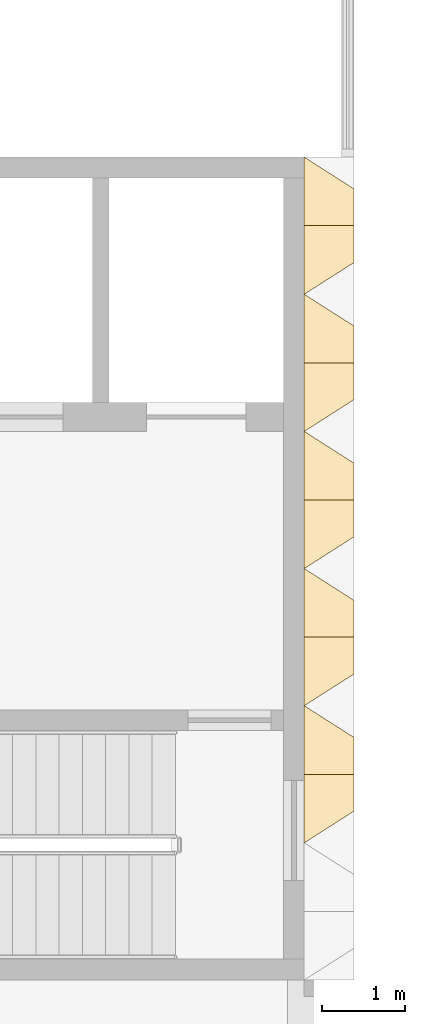
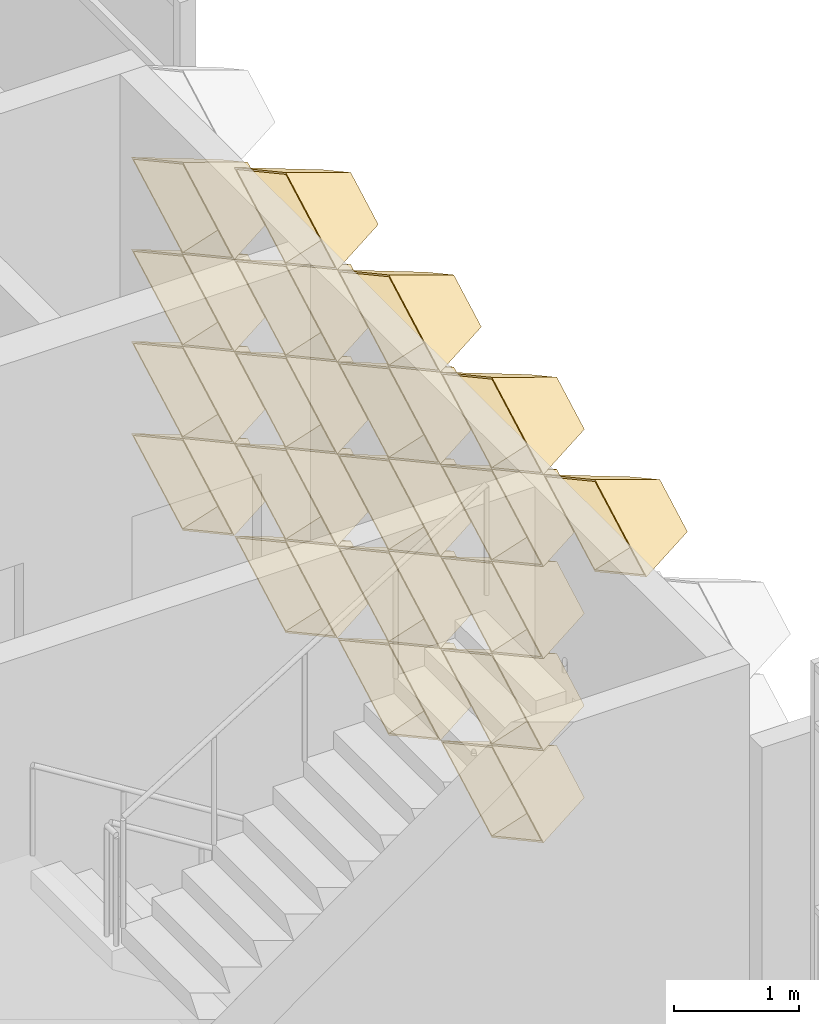
# One storey, part 64 of 87: 20 coverings.
"""IFC4 building model written with IfcOpenShell, lengths in metres."""

from ifc_helpers import new_model, entity, si_unit, direction, frame, origin, place, context, subcontext, project, spatial, material, layer, layer_set, type_object, element, save


model = new_model("IFC4")

# Units and contexts
model_context = context("Model", 3, precision=1e-05, world=origin(), true_north=direction((0.0, 1.0)))
body_context = subcontext(model_context, "Body", "Model", "MODEL_VIEW")
ifc_project = project(units=[si_unit("LENGTHUNIT", "METRE"), si_unit("AREAUNIT", "SQUARE_METRE"), si_unit("VOLUMEUNIT", "CUBIC_METRE"), si_unit("PLANEANGLEUNIT", "RADIAN"), si_unit("MASSUNIT", "GRAM", prefix="KILO")], contexts=[model_context])

# Site, building, storey
site_placement = place(None, origin())
site = spatial("IfcSite", under=ifc_project, at=site_placement, CompositionType="ELEMENT")
building_placement = place(site_placement, origin())
building = spatial("IfcBuilding", under=site, at=building_placement, Name="Lantern Court Research Institute", CompositionType="ELEMENT")
storey_placement = place(building_placement, frame((0.0, 0.0, 5.39990234375)))
storey = spatial("IfcBuildingStorey", under=building, at=storey_placement, Name="L01", CompositionType="ELEMENT", Elevation=5.39990234375)

# Coverings
ifc_material = material(Name="Anodised aluminium", Category="aluminium")
ifc_layer = layer(ifc_material, 0.01611328125)
ifc_layer_set = layer_set([ifc_layer], Name="Anodised aluminium")
covering_type = type_object("IfcCoveringType", Name="Fin cassette 1650 x 900 x 600 aluminium", PredefinedType="CLADDING", material=ifc_layer_set)
covering_1_placement = place(storey_placement, frame((79.199951171875, 17.324951171875, 0.4501953125), z_axis=(1.0, 0.0, 0.0), x_axis=(0.0, 1.0, 0.0)))
cartesian_point_1 = entity("IfcCartesianPoint", [0.824951171875, 0.0])
cartesian_point_2 = entity("IfcCartesianPoint", [0.79150390625, 0.0])
cartesian_point_3 = entity("IfcCartesianPoint", [0.44189453125, 0.0])
cartesian_point_4 = entity("IfcCartesianPoint", [0.43359375, 0.0])
element("IfcCovering", 1, at=covering_1_placement, inside=storey, type_object=covering_type, Name="Fin cassette V5E-L01 1.11", PredefinedType="CLADDING", context=body_context, shape_type="SweptSolid", body=[
    entity("IfcExtrudedAreaSolidTapered", entity("IfcArbitraryProfileDefWithVoids", "AREA", None, entity("IfcPolyline", [cartesian_point_1, entity("IfcCartesianPoint", [0.0, 0.449951171875]), entity("IfcCartesianPoint", [-0.824951171875, 0.0]), entity("IfcCartesianPoint", [0.0, -0.449951171875]), cartesian_point_1]), [entity("IfcPolyline", [cartesian_point_2, entity("IfcCartesianPoint", [0.0, 0.431884765625]), entity("IfcCartesianPoint", [-0.79150390625, 0.0]), entity("IfcCartesianPoint", [0.0, -0.431884765625]), cartesian_point_2])]), entity("IfcAxis2Placement3D", entity("IfcCartesianPoint", [0.0, 0.0, 0.0])), entity("IfcDirection", [0.0, 0.0, 1.0]), 0.60009765625, entity("IfcArbitraryProfileDefWithVoids", "AREA", None, entity("IfcPolyline", [cartesian_point_3, entity("IfcCartesianPoint", [0.0, 0.240966796875]), entity("IfcCartesianPoint", [-0.44189453125, 0.0]), entity("IfcCartesianPoint", [0.0, -0.240966796875]), cartesian_point_3]), [entity("IfcPolyline", [cartesian_point_4, entity("IfcCartesianPoint", [0.0, 0.236572265625]), entity("IfcCartesianPoint", [-0.43359375, 0.0]), entity("IfcCartesianPoint", [0.0, -0.236572265625]), cartesian_point_4])])),
])
covering_2_placement = place(storey_placement, frame((79.199951171875, 18.97509765625, 0.4501953125), z_axis=(1.0, 0.0, 0.0), x_axis=(0.0, 1.0, 0.0)))
cartesian_point_5 = entity("IfcCartesianPoint", [0.824951171875, 0.0])
cartesian_point_6 = entity("IfcCartesianPoint", [0.79150390625, 0.0])
cartesian_point_7 = entity("IfcCartesianPoint", [0.44189453125, 0.0])
cartesian_point_8 = entity("IfcCartesianPoint", [0.43359375, 0.0])
element("IfcCovering", 2, at=covering_2_placement, inside=storey, type_object=covering_type, Name="Fin cassette V5E-L01 1.12", PredefinedType="CLADDING", context=body_context, shape_type="SweptSolid", body=[
    entity("IfcExtrudedAreaSolidTapered", entity("IfcArbitraryProfileDefWithVoids", "AREA", None, entity("IfcPolyline", [cartesian_point_5, entity("IfcCartesianPoint", [0.0, 0.449951171875]), entity("IfcCartesianPoint", [-0.824951171875, 0.0]), entity("IfcCartesianPoint", [0.0, -0.449951171875]), cartesian_point_5]), [entity("IfcPolyline", [cartesian_point_6, entity("IfcCartesianPoint", [0.0, 0.431884765625]), entity("IfcCartesianPoint", [-0.79150390625, 0.0]), entity("IfcCartesianPoint", [0.0, -0.431884765625]), cartesian_point_6])]), entity("IfcAxis2Placement3D", entity("IfcCartesianPoint", [0.0, 0.0, 0.0])), entity("IfcDirection", [0.0, 0.0, 1.0]), 0.60009765625, entity("IfcArbitraryProfileDefWithVoids", "AREA", None, entity("IfcPolyline", [cartesian_point_7, entity("IfcCartesianPoint", [0.0, 0.240966796875]), entity("IfcCartesianPoint", [-0.44189453125, 0.0]), entity("IfcCartesianPoint", [0.0, -0.240966796875]), cartesian_point_7]), [entity("IfcPolyline", [cartesian_point_8, entity("IfcCartesianPoint", [0.0, 0.236572265625]), entity("IfcCartesianPoint", [-0.43359375, 0.0]), entity("IfcCartesianPoint", [0.0, -0.236572265625]), cartesian_point_8])])),
])
covering_3_placement = place(storey_placement, frame((79.199951171875, 20.625, 0.4501953125), z_axis=(1.0, 0.0, 0.0), x_axis=(0.0, 1.0, 0.0)))
cartesian_point_9 = entity("IfcCartesianPoint", [0.824951171875, 0.0])
cartesian_point_10 = entity("IfcCartesianPoint", [0.79150390625, 0.0])
cartesian_point_11 = entity("IfcCartesianPoint", [0.44189453125, 0.0])
cartesian_point_12 = entity("IfcCartesianPoint", [0.43359375, 0.0])
element("IfcCovering", 3, at=covering_3_placement, inside=storey, type_object=covering_type, Name="Fin cassette V5E-L01 1.13", PredefinedType="CLADDING", context=body_context, shape_type="SweptSolid", body=[
    entity("IfcExtrudedAreaSolidTapered", entity("IfcArbitraryProfileDefWithVoids", "AREA", None, entity("IfcPolyline", [cartesian_point_9, entity("IfcCartesianPoint", [0.0, 0.449951171875]), entity("IfcCartesianPoint", [-0.824951171875, 0.0]), entity("IfcCartesianPoint", [0.0, -0.449951171875]), cartesian_point_9]), [entity("IfcPolyline", [cartesian_point_10, entity("IfcCartesianPoint", [0.0, 0.431884765625]), entity("IfcCartesianPoint", [-0.79150390625, 0.0]), entity("IfcCartesianPoint", [0.0, -0.431884765625]), cartesian_point_10])]), entity("IfcAxis2Placement3D", entity("IfcCartesianPoint", [0.0, 0.0, 0.0])), entity("IfcDirection", [0.0, 0.0, 1.0]), 0.60009765625, entity("IfcArbitraryProfileDefWithVoids", "AREA", None, entity("IfcPolyline", [cartesian_point_11, entity("IfcCartesianPoint", [0.0, 0.240966796875]), entity("IfcCartesianPoint", [-0.44189453125, 0.0]), entity("IfcCartesianPoint", [0.0, -0.240966796875]), cartesian_point_11]), [entity("IfcPolyline", [cartesian_point_12, entity("IfcCartesianPoint", [0.0, 0.236572265625]), entity("IfcCartesianPoint", [-0.43359375, 0.0]), entity("IfcCartesianPoint", [0.0, -0.236572265625]), cartesian_point_12])])),
])
covering_4_placement = place(storey_placement, frame((79.199951171875, 22.27490234375, 0.4501953125), z_axis=(1.0, 0.0, 0.0), x_axis=(0.0, 1.0, 0.0)))
cartesian_point_13 = entity("IfcCartesianPoint", [0.824951171875, 0.0])
cartesian_point_14 = entity("IfcCartesianPoint", [0.79150390625, 0.0])
cartesian_point_15 = entity("IfcCartesianPoint", [0.44189453125, 0.0])
cartesian_point_16 = entity("IfcCartesianPoint", [0.43359375, 0.0])
element("IfcCovering", 4, at=covering_4_placement, inside=storey, type_object=covering_type, Name="Fin cassette V5E-L01 1.14", PredefinedType="CLADDING", context=body_context, shape_type="SweptSolid", body=[
    entity("IfcExtrudedAreaSolidTapered", entity("IfcArbitraryProfileDefWithVoids", "AREA", None, entity("IfcPolyline", [cartesian_point_13, entity("IfcCartesianPoint", [0.0, 0.449951171875]), entity("IfcCartesianPoint", [-0.824951171875, 0.0]), entity("IfcCartesianPoint", [0.0, -0.449951171875]), cartesian_point_13]), [entity("IfcPolyline", [cartesian_point_14, entity("IfcCartesianPoint", [0.0, 0.431884765625]), entity("IfcCartesianPoint", [-0.79150390625, 0.0]), entity("IfcCartesianPoint", [0.0, -0.431884765625]), cartesian_point_14])]), entity("IfcAxis2Placement3D", entity("IfcCartesianPoint", [0.0, 0.0, 0.0])), entity("IfcDirection", [0.0, 0.0, 1.0]), 0.60009765625, entity("IfcArbitraryProfileDefWithVoids", "AREA", None, entity("IfcPolyline", [cartesian_point_15, entity("IfcCartesianPoint", [0.0, 0.240966796875]), entity("IfcCartesianPoint", [-0.44189453125, 0.0]), entity("IfcCartesianPoint", [0.0, -0.240966796875]), cartesian_point_15]), [entity("IfcPolyline", [cartesian_point_16, entity("IfcCartesianPoint", [0.0, 0.236572265625]), entity("IfcCartesianPoint", [-0.43359375, 0.0]), entity("IfcCartesianPoint", [0.0, -0.236572265625]), cartesian_point_16])])),
])
covering_5_placement = place(storey_placement, frame((79.199951171875, 17.324951171875, 1.35009765625), z_axis=(1.0, 0.0, 0.0), x_axis=(0.0, 1.0, 0.0)))
cartesian_point_17 = entity("IfcCartesianPoint", [0.824951171875, 0.0])
cartesian_point_18 = entity("IfcCartesianPoint", [0.79150390625, 0.0])
cartesian_point_19 = entity("IfcCartesianPoint", [0.44189453125, 0.0])
cartesian_point_20 = entity("IfcCartesianPoint", [0.43359375, 0.0])
element("IfcCovering", 5, at=covering_5_placement, inside=storey, type_object=covering_type, Name="Fin cassette V5E-L01 2.11", PredefinedType="CLADDING", context=body_context, shape_type="SweptSolid", body=[
    entity("IfcExtrudedAreaSolidTapered", entity("IfcArbitraryProfileDefWithVoids", "AREA", None, entity("IfcPolyline", [cartesian_point_17, entity("IfcCartesianPoint", [0.0, 0.449951171875]), entity("IfcCartesianPoint", [-0.824951171875, 0.0]), entity("IfcCartesianPoint", [0.0, -0.449951171875]), cartesian_point_17]), [entity("IfcPolyline", [cartesian_point_18, entity("IfcCartesianPoint", [0.0, 0.431884765625]), entity("IfcCartesianPoint", [-0.79150390625, 0.0]), entity("IfcCartesianPoint", [0.0, -0.431884765625]), cartesian_point_18])]), entity("IfcAxis2Placement3D", entity("IfcCartesianPoint", [0.0, 0.0, 0.0])), entity("IfcDirection", [0.0, 0.0, 1.0]), 0.60009765625, entity("IfcArbitraryProfileDefWithVoids", "AREA", None, entity("IfcPolyline", [cartesian_point_19, entity("IfcCartesianPoint", [0.0, 0.240966796875]), entity("IfcCartesianPoint", [-0.44189453125, 0.0]), entity("IfcCartesianPoint", [0.0, -0.240966796875]), cartesian_point_19]), [entity("IfcPolyline", [cartesian_point_20, entity("IfcCartesianPoint", [0.0, 0.236572265625]), entity("IfcCartesianPoint", [-0.43359375, 0.0]), entity("IfcCartesianPoint", [0.0, -0.236572265625]), cartesian_point_20])])),
])
covering_6_placement = place(storey_placement, frame((79.199951171875, 18.97509765625, 1.35009765625), z_axis=(1.0, 0.0, 0.0), x_axis=(0.0, 1.0, 0.0)))
cartesian_point_21 = entity("IfcCartesianPoint", [0.824951171875, 0.0])
cartesian_point_22 = entity("IfcCartesianPoint", [0.79150390625, 0.0])
cartesian_point_23 = entity("IfcCartesianPoint", [0.44189453125, 0.0])
cartesian_point_24 = entity("IfcCartesianPoint", [0.43359375, 0.0])
element("IfcCovering", 6, at=covering_6_placement, inside=storey, type_object=covering_type, Name="Fin cassette V5E-L01 2.12", PredefinedType="CLADDING", context=body_context, shape_type="SweptSolid", body=[
    entity("IfcExtrudedAreaSolidTapered", entity("IfcArbitraryProfileDefWithVoids", "AREA", None, entity("IfcPolyline", [cartesian_point_21, entity("IfcCartesianPoint", [0.0, 0.449951171875]), entity("IfcCartesianPoint", [-0.824951171875, 0.0]), entity("IfcCartesianPoint", [0.0, -0.449951171875]), cartesian_point_21]), [entity("IfcPolyline", [cartesian_point_22, entity("IfcCartesianPoint", [0.0, 0.431884765625]), entity("IfcCartesianPoint", [-0.79150390625, 0.0]), entity("IfcCartesianPoint", [0.0, -0.431884765625]), cartesian_point_22])]), entity("IfcAxis2Placement3D", entity("IfcCartesianPoint", [0.0, 0.0, 0.0])), entity("IfcDirection", [0.0, 0.0, 1.0]), 0.60009765625, entity("IfcArbitraryProfileDefWithVoids", "AREA", None, entity("IfcPolyline", [cartesian_point_23, entity("IfcCartesianPoint", [0.0, 0.240966796875]), entity("IfcCartesianPoint", [-0.44189453125, 0.0]), entity("IfcCartesianPoint", [0.0, -0.240966796875]), cartesian_point_23]), [entity("IfcPolyline", [cartesian_point_24, entity("IfcCartesianPoint", [0.0, 0.236572265625]), entity("IfcCartesianPoint", [-0.43359375, 0.0]), entity("IfcCartesianPoint", [0.0, -0.236572265625]), cartesian_point_24])])),
])
covering_7_placement = place(storey_placement, frame((79.199951171875, 20.625, 1.35009765625), z_axis=(1.0, 0.0, 0.0), x_axis=(0.0, 1.0, 0.0)))
cartesian_point_25 = entity("IfcCartesianPoint", [0.824951171875, 0.0])
cartesian_point_26 = entity("IfcCartesianPoint", [0.79150390625, 0.0])
cartesian_point_27 = entity("IfcCartesianPoint", [0.44189453125, 0.0])
cartesian_point_28 = entity("IfcCartesianPoint", [0.43359375, 0.0])
element("IfcCovering", 7, at=covering_7_placement, inside=storey, type_object=covering_type, Name="Fin cassette V5E-L01 2.13", PredefinedType="CLADDING", context=body_context, shape_type="SweptSolid", body=[
    entity("IfcExtrudedAreaSolidTapered", entity("IfcArbitraryProfileDefWithVoids", "AREA", None, entity("IfcPolyline", [cartesian_point_25, entity("IfcCartesianPoint", [0.0, 0.449951171875]), entity("IfcCartesianPoint", [-0.824951171875, 0.0]), entity("IfcCartesianPoint", [0.0, -0.449951171875]), cartesian_point_25]), [entity("IfcPolyline", [cartesian_point_26, entity("IfcCartesianPoint", [0.0, 0.431884765625]), entity("IfcCartesianPoint", [-0.79150390625, 0.0]), entity("IfcCartesianPoint", [0.0, -0.431884765625]), cartesian_point_26])]), entity("IfcAxis2Placement3D", entity("IfcCartesianPoint", [0.0, 0.0, 0.0])), entity("IfcDirection", [0.0, 0.0, 1.0]), 0.60009765625, entity("IfcArbitraryProfileDefWithVoids", "AREA", None, entity("IfcPolyline", [cartesian_point_27, entity("IfcCartesianPoint", [0.0, 0.240966796875]), entity("IfcCartesianPoint", [-0.44189453125, 0.0]), entity("IfcCartesianPoint", [0.0, -0.240966796875]), cartesian_point_27]), [entity("IfcPolyline", [cartesian_point_28, entity("IfcCartesianPoint", [0.0, 0.236572265625]), entity("IfcCartesianPoint", [-0.43359375, 0.0]), entity("IfcCartesianPoint", [0.0, -0.236572265625]), cartesian_point_28])])),
])
covering_8_placement = place(storey_placement, frame((79.199951171875, 22.27490234375, 1.35009765625), z_axis=(1.0, 0.0, 0.0), x_axis=(0.0, 1.0, 0.0)))
cartesian_point_29 = entity("IfcCartesianPoint", [0.824951171875, 0.0])
cartesian_point_30 = entity("IfcCartesianPoint", [0.79150390625, 0.0])
cartesian_point_31 = entity("IfcCartesianPoint", [0.44189453125, 0.0])
cartesian_point_32 = entity("IfcCartesianPoint", [0.43359375, 0.0])
element("IfcCovering", 8, at=covering_8_placement, inside=storey, type_object=covering_type, Name="Fin cassette V5E-L01 2.14", PredefinedType="CLADDING", context=body_context, shape_type="SweptSolid", body=[
    entity("IfcExtrudedAreaSolidTapered", entity("IfcArbitraryProfileDefWithVoids", "AREA", None, entity("IfcPolyline", [cartesian_point_29, entity("IfcCartesianPoint", [0.0, 0.449951171875]), entity("IfcCartesianPoint", [-0.824951171875, 0.0]), entity("IfcCartesianPoint", [0.0, -0.449951171875]), cartesian_point_29]), [entity("IfcPolyline", [cartesian_point_30, entity("IfcCartesianPoint", [0.0, 0.431884765625]), entity("IfcCartesianPoint", [-0.79150390625, 0.0]), entity("IfcCartesianPoint", [0.0, -0.431884765625]), cartesian_point_30])]), entity("IfcAxis2Placement3D", entity("IfcCartesianPoint", [0.0, 0.0, 0.0])), entity("IfcDirection", [0.0, 0.0, 1.0]), 0.60009765625, entity("IfcArbitraryProfileDefWithVoids", "AREA", None, entity("IfcPolyline", [cartesian_point_31, entity("IfcCartesianPoint", [0.0, 0.240966796875]), entity("IfcCartesianPoint", [-0.44189453125, 0.0]), entity("IfcCartesianPoint", [0.0, -0.240966796875]), cartesian_point_31]), [entity("IfcPolyline", [cartesian_point_32, entity("IfcCartesianPoint", [0.0, 0.236572265625]), entity("IfcCartesianPoint", [-0.43359375, 0.0]), entity("IfcCartesianPoint", [0.0, -0.236572265625]), cartesian_point_32])])),
])
covering_9_placement = place(storey_placement, frame((79.199951171875, 17.324951171875, 2.25), z_axis=(1.0, 0.0, 0.0), x_axis=(0.0, 1.0, 0.0)))
cartesian_point_33 = entity("IfcCartesianPoint", [0.824951171875, 0.0])
cartesian_point_34 = entity("IfcCartesianPoint", [0.79150390625, 0.0])
cartesian_point_35 = entity("IfcCartesianPoint", [0.44189453125, 0.0])
cartesian_point_36 = entity("IfcCartesianPoint", [0.43359375, 0.0])
element("IfcCovering", 9, at=covering_9_placement, inside=storey, type_object=covering_type, Name="Fin cassette V5E-L01 3.11", PredefinedType="CLADDING", context=body_context, shape_type="SweptSolid", body=[
    entity("IfcExtrudedAreaSolidTapered", entity("IfcArbitraryProfileDefWithVoids", "AREA", None, entity("IfcPolyline", [cartesian_point_33, entity("IfcCartesianPoint", [0.0, 0.449951171875]), entity("IfcCartesianPoint", [-0.824951171875, 0.0]), entity("IfcCartesianPoint", [0.0, -0.449951171875]), cartesian_point_33]), [entity("IfcPolyline", [cartesian_point_34, entity("IfcCartesianPoint", [0.0, 0.431884765625]), entity("IfcCartesianPoint", [-0.79150390625, 0.0]), entity("IfcCartesianPoint", [0.0, -0.431884765625]), cartesian_point_34])]), entity("IfcAxis2Placement3D", entity("IfcCartesianPoint", [0.0, 0.0, 0.0])), entity("IfcDirection", [0.0, 0.0, 1.0]), 0.60009765625, entity("IfcArbitraryProfileDefWithVoids", "AREA", None, entity("IfcPolyline", [cartesian_point_35, entity("IfcCartesianPoint", [0.0, 0.240966796875]), entity("IfcCartesianPoint", [-0.44189453125, 0.0]), entity("IfcCartesianPoint", [0.0, -0.240966796875]), cartesian_point_35]), [entity("IfcPolyline", [cartesian_point_36, entity("IfcCartesianPoint", [0.0, 0.236572265625]), entity("IfcCartesianPoint", [-0.43359375, 0.0]), entity("IfcCartesianPoint", [0.0, -0.236572265625]), cartesian_point_36])])),
])
covering_10_placement = place(storey_placement, frame((79.199951171875, 18.97509765625, 2.25), z_axis=(1.0, 0.0, 0.0), x_axis=(0.0, 1.0, 0.0)))
cartesian_point_37 = entity("IfcCartesianPoint", [0.824951171875, 0.0])
cartesian_point_38 = entity("IfcCartesianPoint", [0.79150390625, 0.0])
cartesian_point_39 = entity("IfcCartesianPoint", [0.44189453125, 0.0])
cartesian_point_40 = entity("IfcCartesianPoint", [0.43359375, 0.0])
element("IfcCovering", 10, at=covering_10_placement, inside=storey, type_object=covering_type, Name="Fin cassette V5E-L01 3.12", PredefinedType="CLADDING", context=body_context, shape_type="SweptSolid", body=[
    entity("IfcExtrudedAreaSolidTapered", entity("IfcArbitraryProfileDefWithVoids", "AREA", None, entity("IfcPolyline", [cartesian_point_37, entity("IfcCartesianPoint", [0.0, 0.449951171875]), entity("IfcCartesianPoint", [-0.824951171875, 0.0]), entity("IfcCartesianPoint", [0.0, -0.449951171875]), cartesian_point_37]), [entity("IfcPolyline", [cartesian_point_38, entity("IfcCartesianPoint", [0.0, 0.431884765625]), entity("IfcCartesianPoint", [-0.79150390625, 0.0]), entity("IfcCartesianPoint", [0.0, -0.431884765625]), cartesian_point_38])]), entity("IfcAxis2Placement3D", entity("IfcCartesianPoint", [0.0, 0.0, 0.0])), entity("IfcDirection", [0.0, 0.0, 1.0]), 0.60009765625, entity("IfcArbitraryProfileDefWithVoids", "AREA", None, entity("IfcPolyline", [cartesian_point_39, entity("IfcCartesianPoint", [0.0, 0.240966796875]), entity("IfcCartesianPoint", [-0.44189453125, 0.0]), entity("IfcCartesianPoint", [0.0, -0.240966796875]), cartesian_point_39]), [entity("IfcPolyline", [cartesian_point_40, entity("IfcCartesianPoint", [0.0, 0.236572265625]), entity("IfcCartesianPoint", [-0.43359375, 0.0]), entity("IfcCartesianPoint", [0.0, -0.236572265625]), cartesian_point_40])])),
])
covering_11_placement = place(storey_placement, frame((79.199951171875, 20.625, 2.25), z_axis=(1.0, 0.0, 0.0), x_axis=(0.0, 1.0, 0.0)))
cartesian_point_41 = entity("IfcCartesianPoint", [0.824951171875, 0.0])
cartesian_point_42 = entity("IfcCartesianPoint", [0.79150390625, 0.0])
cartesian_point_43 = entity("IfcCartesianPoint", [0.44189453125, 0.0])
cartesian_point_44 = entity("IfcCartesianPoint", [0.43359375, 0.0])
element("IfcCovering", 11, at=covering_11_placement, inside=storey, type_object=covering_type, Name="Fin cassette V5E-L01 3.13", PredefinedType="CLADDING", context=body_context, shape_type="SweptSolid", body=[
    entity("IfcExtrudedAreaSolidTapered", entity("IfcArbitraryProfileDefWithVoids", "AREA", None, entity("IfcPolyline", [cartesian_point_41, entity("IfcCartesianPoint", [0.0, 0.449951171875]), entity("IfcCartesianPoint", [-0.824951171875, 0.0]), entity("IfcCartesianPoint", [0.0, -0.449951171875]), cartesian_point_41]), [entity("IfcPolyline", [cartesian_point_42, entity("IfcCartesianPoint", [0.0, 0.431884765625]), entity("IfcCartesianPoint", [-0.79150390625, 0.0]), entity("IfcCartesianPoint", [0.0, -0.431884765625]), cartesian_point_42])]), entity("IfcAxis2Placement3D", entity("IfcCartesianPoint", [0.0, 0.0, 0.0])), entity("IfcDirection", [0.0, 0.0, 1.0]), 0.60009765625, entity("IfcArbitraryProfileDefWithVoids", "AREA", None, entity("IfcPolyline", [cartesian_point_43, entity("IfcCartesianPoint", [0.0, 0.240966796875]), entity("IfcCartesianPoint", [-0.44189453125, 0.0]), entity("IfcCartesianPoint", [0.0, -0.240966796875]), cartesian_point_43]), [entity("IfcPolyline", [cartesian_point_44, entity("IfcCartesianPoint", [0.0, 0.236572265625]), entity("IfcCartesianPoint", [-0.43359375, 0.0]), entity("IfcCartesianPoint", [0.0, -0.236572265625]), cartesian_point_44])])),
])
covering_12_placement = place(storey_placement, frame((79.199951171875, 22.27490234375, 2.25), z_axis=(1.0, 0.0, 0.0), x_axis=(0.0, 1.0, 0.0)))
cartesian_point_45 = entity("IfcCartesianPoint", [0.824951171875, 0.0])
cartesian_point_46 = entity("IfcCartesianPoint", [0.79150390625, 0.0])
cartesian_point_47 = entity("IfcCartesianPoint", [0.44189453125, 0.0])
cartesian_point_48 = entity("IfcCartesianPoint", [0.43359375, 0.0])
element("IfcCovering", 12, at=covering_12_placement, inside=storey, type_object=covering_type, Name="Fin cassette V5E-L01 3.14", PredefinedType="CLADDING", context=body_context, shape_type="SweptSolid", body=[
    entity("IfcExtrudedAreaSolidTapered", entity("IfcArbitraryProfileDefWithVoids", "AREA", None, entity("IfcPolyline", [cartesian_point_45, entity("IfcCartesianPoint", [0.0, 0.449951171875]), entity("IfcCartesianPoint", [-0.824951171875, 0.0]), entity("IfcCartesianPoint", [0.0, -0.449951171875]), cartesian_point_45]), [entity("IfcPolyline", [cartesian_point_46, entity("IfcCartesianPoint", [0.0, 0.431884765625]), entity("IfcCartesianPoint", [-0.79150390625, 0.0]), entity("IfcCartesianPoint", [0.0, -0.431884765625]), cartesian_point_46])]), entity("IfcAxis2Placement3D", entity("IfcCartesianPoint", [0.0, 0.0, 0.0])), entity("IfcDirection", [0.0, 0.0, 1.0]), 0.60009765625, entity("IfcArbitraryProfileDefWithVoids", "AREA", None, entity("IfcPolyline", [cartesian_point_47, entity("IfcCartesianPoint", [0.0, 0.240966796875]), entity("IfcCartesianPoint", [-0.44189453125, 0.0]), entity("IfcCartesianPoint", [0.0, -0.240966796875]), cartesian_point_47]), [entity("IfcPolyline", [cartesian_point_48, entity("IfcCartesianPoint", [0.0, 0.236572265625]), entity("IfcCartesianPoint", [-0.43359375, 0.0]), entity("IfcCartesianPoint", [0.0, -0.236572265625]), cartesian_point_48])])),
])
covering_13_placement = place(storey_placement, frame((79.199951171875, 17.324951171875, 3.150146484375), z_axis=(1.0, 0.0, 0.0), x_axis=(0.0, 1.0, 0.0)))
cartesian_point_49 = entity("IfcCartesianPoint", [0.824951171875, 0.0])
cartesian_point_50 = entity("IfcCartesianPoint", [0.79150390625, 0.0])
cartesian_point_51 = entity("IfcCartesianPoint", [0.44189453125, 0.0])
cartesian_point_52 = entity("IfcCartesianPoint", [0.43359375, 0.0])
element("IfcCovering", 13, at=covering_13_placement, inside=storey, type_object=covering_type, Name="Fin cassette V5E-L01 4.11", PredefinedType="CLADDING", context=body_context, shape_type="SweptSolid", body=[
    entity("IfcExtrudedAreaSolidTapered", entity("IfcArbitraryProfileDefWithVoids", "AREA", None, entity("IfcPolyline", [cartesian_point_49, entity("IfcCartesianPoint", [0.0, 0.449951171875]), entity("IfcCartesianPoint", [-0.824951171875, 0.0]), entity("IfcCartesianPoint", [0.0, -0.449951171875]), cartesian_point_49]), [entity("IfcPolyline", [cartesian_point_50, entity("IfcCartesianPoint", [0.0, 0.431884765625]), entity("IfcCartesianPoint", [-0.79150390625, 0.0]), entity("IfcCartesianPoint", [0.0, -0.431884765625]), cartesian_point_50])]), entity("IfcAxis2Placement3D", entity("IfcCartesianPoint", [0.0, 0.0, 0.0])), entity("IfcDirection", [0.0, 0.0, 1.0]), 0.60009765625, entity("IfcArbitraryProfileDefWithVoids", "AREA", None, entity("IfcPolyline", [cartesian_point_51, entity("IfcCartesianPoint", [0.0, 0.240966796875]), entity("IfcCartesianPoint", [-0.44189453125, 0.0]), entity("IfcCartesianPoint", [0.0, -0.240966796875]), cartesian_point_51]), [entity("IfcPolyline", [cartesian_point_52, entity("IfcCartesianPoint", [0.0, 0.236572265625]), entity("IfcCartesianPoint", [-0.43359375, 0.0]), entity("IfcCartesianPoint", [0.0, -0.236572265625]), cartesian_point_52])])),
])
covering_14_placement = place(storey_placement, frame((79.199951171875, 18.97509765625, 3.150146484375), z_axis=(1.0, 0.0, 0.0), x_axis=(0.0, 1.0, 0.0)))
cartesian_point_53 = entity("IfcCartesianPoint", [0.824951171875, 0.0])
cartesian_point_54 = entity("IfcCartesianPoint", [0.79150390625, 0.0])
cartesian_point_55 = entity("IfcCartesianPoint", [0.44189453125, 0.0])
cartesian_point_56 = entity("IfcCartesianPoint", [0.43359375, 0.0])
element("IfcCovering", 14, at=covering_14_placement, inside=storey, type_object=covering_type, Name="Fin cassette V5E-L01 4.12", PredefinedType="CLADDING", context=body_context, shape_type="SweptSolid", body=[
    entity("IfcExtrudedAreaSolidTapered", entity("IfcArbitraryProfileDefWithVoids", "AREA", None, entity("IfcPolyline", [cartesian_point_53, entity("IfcCartesianPoint", [0.0, 0.449951171875]), entity("IfcCartesianPoint", [-0.824951171875, 0.0]), entity("IfcCartesianPoint", [0.0, -0.449951171875]), cartesian_point_53]), [entity("IfcPolyline", [cartesian_point_54, entity("IfcCartesianPoint", [0.0, 0.431884765625]), entity("IfcCartesianPoint", [-0.79150390625, 0.0]), entity("IfcCartesianPoint", [0.0, -0.431884765625]), cartesian_point_54])]), entity("IfcAxis2Placement3D", entity("IfcCartesianPoint", [0.0, 0.0, 0.0])), entity("IfcDirection", [0.0, 0.0, 1.0]), 0.60009765625, entity("IfcArbitraryProfileDefWithVoids", "AREA", None, entity("IfcPolyline", [cartesian_point_55, entity("IfcCartesianPoint", [0.0, 0.240966796875]), entity("IfcCartesianPoint", [-0.44189453125, 0.0]), entity("IfcCartesianPoint", [0.0, -0.240966796875]), cartesian_point_55]), [entity("IfcPolyline", [cartesian_point_56, entity("IfcCartesianPoint", [0.0, 0.236572265625]), entity("IfcCartesianPoint", [-0.43359375, 0.0]), entity("IfcCartesianPoint", [0.0, -0.236572265625]), cartesian_point_56])])),
])
covering_15_placement = place(storey_placement, frame((79.199951171875, 20.625, 3.150146484375), z_axis=(1.0, 0.0, 0.0), x_axis=(0.0, 1.0, 0.0)))
cartesian_point_57 = entity("IfcCartesianPoint", [0.824951171875, 0.0])
cartesian_point_58 = entity("IfcCartesianPoint", [0.79150390625, 0.0])
cartesian_point_59 = entity("IfcCartesianPoint", [0.44189453125, 0.0])
cartesian_point_60 = entity("IfcCartesianPoint", [0.43359375, 0.0])
element("IfcCovering", 15, at=covering_15_placement, inside=storey, type_object=covering_type, Name="Fin cassette V5E-L01 4.13", PredefinedType="CLADDING", context=body_context, shape_type="SweptSolid", body=[
    entity("IfcExtrudedAreaSolidTapered", entity("IfcArbitraryProfileDefWithVoids", "AREA", None, entity("IfcPolyline", [cartesian_point_57, entity("IfcCartesianPoint", [0.0, 0.449951171875]), entity("IfcCartesianPoint", [-0.824951171875, 0.0]), entity("IfcCartesianPoint", [0.0, -0.449951171875]), cartesian_point_57]), [entity("IfcPolyline", [cartesian_point_58, entity("IfcCartesianPoint", [0.0, 0.431884765625]), entity("IfcCartesianPoint", [-0.79150390625, 0.0]), entity("IfcCartesianPoint", [0.0, -0.431884765625]), cartesian_point_58])]), entity("IfcAxis2Placement3D", entity("IfcCartesianPoint", [0.0, 0.0, 0.0])), entity("IfcDirection", [0.0, 0.0, 1.0]), 0.60009765625, entity("IfcArbitraryProfileDefWithVoids", "AREA", None, entity("IfcPolyline", [cartesian_point_59, entity("IfcCartesianPoint", [0.0, 0.240966796875]), entity("IfcCartesianPoint", [-0.44189453125, 0.0]), entity("IfcCartesianPoint", [0.0, -0.240966796875]), cartesian_point_59]), [entity("IfcPolyline", [cartesian_point_60, entity("IfcCartesianPoint", [0.0, 0.236572265625]), entity("IfcCartesianPoint", [-0.43359375, 0.0]), entity("IfcCartesianPoint", [0.0, -0.236572265625]), cartesian_point_60])])),
])
covering_16_placement = place(storey_placement, frame((79.199951171875, 22.27490234375, 3.150146484375), z_axis=(1.0, 0.0, 0.0), x_axis=(0.0, 1.0, 0.0)))
cartesian_point_61 = entity("IfcCartesianPoint", [0.824951171875, 0.0])
cartesian_point_62 = entity("IfcCartesianPoint", [0.79150390625, 0.0])
cartesian_point_63 = entity("IfcCartesianPoint", [0.44189453125, 0.0])
cartesian_point_64 = entity("IfcCartesianPoint", [0.43359375, 0.0])
element("IfcCovering", 16, at=covering_16_placement, inside=storey, type_object=covering_type, Name="Fin cassette V5E-L01 4.14", PredefinedType="CLADDING", context=body_context, shape_type="SweptSolid", body=[
    entity("IfcExtrudedAreaSolidTapered", entity("IfcArbitraryProfileDefWithVoids", "AREA", None, entity("IfcPolyline", [cartesian_point_61, entity("IfcCartesianPoint", [0.0, 0.449951171875]), entity("IfcCartesianPoint", [-0.824951171875, 0.0]), entity("IfcCartesianPoint", [0.0, -0.449951171875]), cartesian_point_61]), [entity("IfcPolyline", [cartesian_point_62, entity("IfcCartesianPoint", [0.0, 0.431884765625]), entity("IfcCartesianPoint", [-0.79150390625, 0.0]), entity("IfcCartesianPoint", [0.0, -0.431884765625]), cartesian_point_62])]), entity("IfcAxis2Placement3D", entity("IfcCartesianPoint", [0.0, 0.0, 0.0])), entity("IfcDirection", [0.0, 0.0, 1.0]), 0.60009765625, entity("IfcArbitraryProfileDefWithVoids", "AREA", None, entity("IfcPolyline", [cartesian_point_63, entity("IfcCartesianPoint", [0.0, 0.240966796875]), entity("IfcCartesianPoint", [-0.44189453125, 0.0]), entity("IfcCartesianPoint", [0.0, -0.240966796875]), cartesian_point_63]), [entity("IfcPolyline", [cartesian_point_64, entity("IfcCartesianPoint", [0.0, 0.236572265625]), entity("IfcCartesianPoint", [-0.43359375, 0.0]), entity("IfcCartesianPoint", [0.0, -0.236572265625]), cartesian_point_64])])),
])
covering_17_placement = place(storey_placement, frame((79.199951171875, 15.675048828125, 4.050048828125), z_axis=(1.0, 0.0, 0.0), x_axis=(0.0, 1.0, 0.0)))
cartesian_point_65 = entity("IfcCartesianPoint", [0.824951171875, 0.0])
cartesian_point_66 = entity("IfcCartesianPoint", [0.79150390625, 0.0])
cartesian_point_67 = entity("IfcCartesianPoint", [0.44189453125, 0.0])
cartesian_point_68 = entity("IfcCartesianPoint", [0.43359375, 0.0])
element("IfcCovering", 17, at=covering_17_placement, inside=storey, type_object=covering_type, Name="Fin cassette V5E-L01 5.10", PredefinedType="CLADDING", context=body_context, shape_type="SweptSolid", body=[
    entity("IfcExtrudedAreaSolidTapered", entity("IfcArbitraryProfileDefWithVoids", "AREA", None, entity("IfcPolyline", [cartesian_point_65, entity("IfcCartesianPoint", [0.0, 0.449951171875]), entity("IfcCartesianPoint", [-0.824951171875, 0.0]), entity("IfcCartesianPoint", [0.0, -0.449951171875]), cartesian_point_65]), [entity("IfcPolyline", [cartesian_point_66, entity("IfcCartesianPoint", [0.0, 0.431884765625]), entity("IfcCartesianPoint", [-0.79150390625, 0.0]), entity("IfcCartesianPoint", [0.0, -0.431884765625]), cartesian_point_66])]), entity("IfcAxis2Placement3D", entity("IfcCartesianPoint", [0.0, 0.0, 0.0])), entity("IfcDirection", [0.0, 0.0, 1.0]), 0.60009765625, entity("IfcArbitraryProfileDefWithVoids", "AREA", None, entity("IfcPolyline", [cartesian_point_67, entity("IfcCartesianPoint", [0.0, 0.240966796875]), entity("IfcCartesianPoint", [-0.44189453125, 0.0]), entity("IfcCartesianPoint", [0.0, -0.240966796875]), cartesian_point_67]), [entity("IfcPolyline", [cartesian_point_68, entity("IfcCartesianPoint", [0.0, 0.236572265625]), entity("IfcCartesianPoint", [-0.43359375, 0.0]), entity("IfcCartesianPoint", [0.0, -0.236572265625]), cartesian_point_68])])),
])
covering_18_placement = place(storey_placement, frame((79.199951171875, 17.324951171875, 4.050048828125), z_axis=(1.0, 0.0, 0.0), x_axis=(0.0, 1.0, 0.0)))
cartesian_point_69 = entity("IfcCartesianPoint", [0.824951171875, 0.0])
cartesian_point_70 = entity("IfcCartesianPoint", [0.79150390625, 0.0])
cartesian_point_71 = entity("IfcCartesianPoint", [0.44189453125, 0.0])
cartesian_point_72 = entity("IfcCartesianPoint", [0.43359375, 0.0])
element("IfcCovering", 18, at=covering_18_placement, inside=storey, type_object=covering_type, Name="Fin cassette V5E-L01 5.11", PredefinedType="CLADDING", context=body_context, shape_type="SweptSolid", body=[
    entity("IfcExtrudedAreaSolidTapered", entity("IfcArbitraryProfileDefWithVoids", "AREA", None, entity("IfcPolyline", [cartesian_point_69, entity("IfcCartesianPoint", [0.0, 0.449951171875]), entity("IfcCartesianPoint", [-0.824951171875, 0.0]), entity("IfcCartesianPoint", [0.0, -0.449951171875]), cartesian_point_69]), [entity("IfcPolyline", [cartesian_point_70, entity("IfcCartesianPoint", [0.0, 0.431884765625]), entity("IfcCartesianPoint", [-0.79150390625, 0.0]), entity("IfcCartesianPoint", [0.0, -0.431884765625]), cartesian_point_70])]), entity("IfcAxis2Placement3D", entity("IfcCartesianPoint", [0.0, 0.0, 0.0])), entity("IfcDirection", [0.0, 0.0, 1.0]), 0.60009765625, entity("IfcArbitraryProfileDefWithVoids", "AREA", None, entity("IfcPolyline", [cartesian_point_71, entity("IfcCartesianPoint", [0.0, 0.240966796875]), entity("IfcCartesianPoint", [-0.44189453125, 0.0]), entity("IfcCartesianPoint", [0.0, -0.240966796875]), cartesian_point_71]), [entity("IfcPolyline", [cartesian_point_72, entity("IfcCartesianPoint", [0.0, 0.236572265625]), entity("IfcCartesianPoint", [-0.43359375, 0.0]), entity("IfcCartesianPoint", [0.0, -0.236572265625]), cartesian_point_72])])),
])
covering_19_placement = place(storey_placement, frame((79.199951171875, 18.97509765625, 4.050048828125), z_axis=(1.0, 0.0, 0.0), x_axis=(0.0, 1.0, 0.0)))
cartesian_point_73 = entity("IfcCartesianPoint", [0.824951171875, 0.0])
cartesian_point_74 = entity("IfcCartesianPoint", [0.79150390625, 0.0])
cartesian_point_75 = entity("IfcCartesianPoint", [0.44189453125, 0.0])
cartesian_point_76 = entity("IfcCartesianPoint", [0.43359375, 0.0])
element("IfcCovering", 19, at=covering_19_placement, inside=storey, type_object=covering_type, Name="Fin cassette V5E-L01 5.12", PredefinedType="CLADDING", context=body_context, shape_type="SweptSolid", body=[
    entity("IfcExtrudedAreaSolidTapered", entity("IfcArbitraryProfileDefWithVoids", "AREA", None, entity("IfcPolyline", [cartesian_point_73, entity("IfcCartesianPoint", [0.0, 0.449951171875]), entity("IfcCartesianPoint", [-0.824951171875, 0.0]), entity("IfcCartesianPoint", [0.0, -0.449951171875]), cartesian_point_73]), [entity("IfcPolyline", [cartesian_point_74, entity("IfcCartesianPoint", [0.0, 0.431884765625]), entity("IfcCartesianPoint", [-0.79150390625, 0.0]), entity("IfcCartesianPoint", [0.0, -0.431884765625]), cartesian_point_74])]), entity("IfcAxis2Placement3D", entity("IfcCartesianPoint", [0.0, 0.0, 0.0])), entity("IfcDirection", [0.0, 0.0, 1.0]), 0.60009765625, entity("IfcArbitraryProfileDefWithVoids", "AREA", None, entity("IfcPolyline", [cartesian_point_75, entity("IfcCartesianPoint", [0.0, 0.240966796875]), entity("IfcCartesianPoint", [-0.44189453125, 0.0]), entity("IfcCartesianPoint", [0.0, -0.240966796875]), cartesian_point_75]), [entity("IfcPolyline", [cartesian_point_76, entity("IfcCartesianPoint", [0.0, 0.236572265625]), entity("IfcCartesianPoint", [-0.43359375, 0.0]), entity("IfcCartesianPoint", [0.0, -0.236572265625]), cartesian_point_76])])),
])
covering_20_placement = place(storey_placement, frame((79.199951171875, 20.625, 4.050048828125), z_axis=(1.0, 0.0, 0.0), x_axis=(0.0, 1.0, 0.0)))
cartesian_point_77 = entity("IfcCartesianPoint", [0.824951171875, 0.0])
cartesian_point_78 = entity("IfcCartesianPoint", [0.79150390625, 0.0])
cartesian_point_79 = entity("IfcCartesianPoint", [0.44189453125, 0.0])
cartesian_point_80 = entity("IfcCartesianPoint", [0.43359375, 0.0])
element("IfcCovering", 20, at=covering_20_placement, inside=storey, type_object=covering_type, Name="Fin cassette V5E-L01 5.13", PredefinedType="CLADDING", context=body_context, shape_type="SweptSolid", body=[
    entity("IfcExtrudedAreaSolidTapered", entity("IfcArbitraryProfileDefWithVoids", "AREA", None, entity("IfcPolyline", [cartesian_point_77, entity("IfcCartesianPoint", [0.0, 0.449951171875]), entity("IfcCartesianPoint", [-0.824951171875, 0.0]), entity("IfcCartesianPoint", [0.0, -0.449951171875]), cartesian_point_77]), [entity("IfcPolyline", [cartesian_point_78, entity("IfcCartesianPoint", [0.0, 0.431884765625]), entity("IfcCartesianPoint", [-0.79150390625, 0.0]), entity("IfcCartesianPoint", [0.0, -0.431884765625]), cartesian_point_78])]), entity("IfcAxis2Placement3D", entity("IfcCartesianPoint", [0.0, 0.0, 0.0])), entity("IfcDirection", [0.0, 0.0, 1.0]), 0.60009765625, entity("IfcArbitraryProfileDefWithVoids", "AREA", None, entity("IfcPolyline", [cartesian_point_79, entity("IfcCartesianPoint", [0.0, 0.240966796875]), entity("IfcCartesianPoint", [-0.44189453125, 0.0]), entity("IfcCartesianPoint", [0.0, -0.240966796875]), cartesian_point_79]), [entity("IfcPolyline", [cartesian_point_80, entity("IfcCartesianPoint", [0.0, 0.236572265625]), entity("IfcCartesianPoint", [-0.43359375, 0.0]), entity("IfcCartesianPoint", [0.0, -0.236572265625]), cartesian_point_80])])),
])

save(model, "model.ifc")
